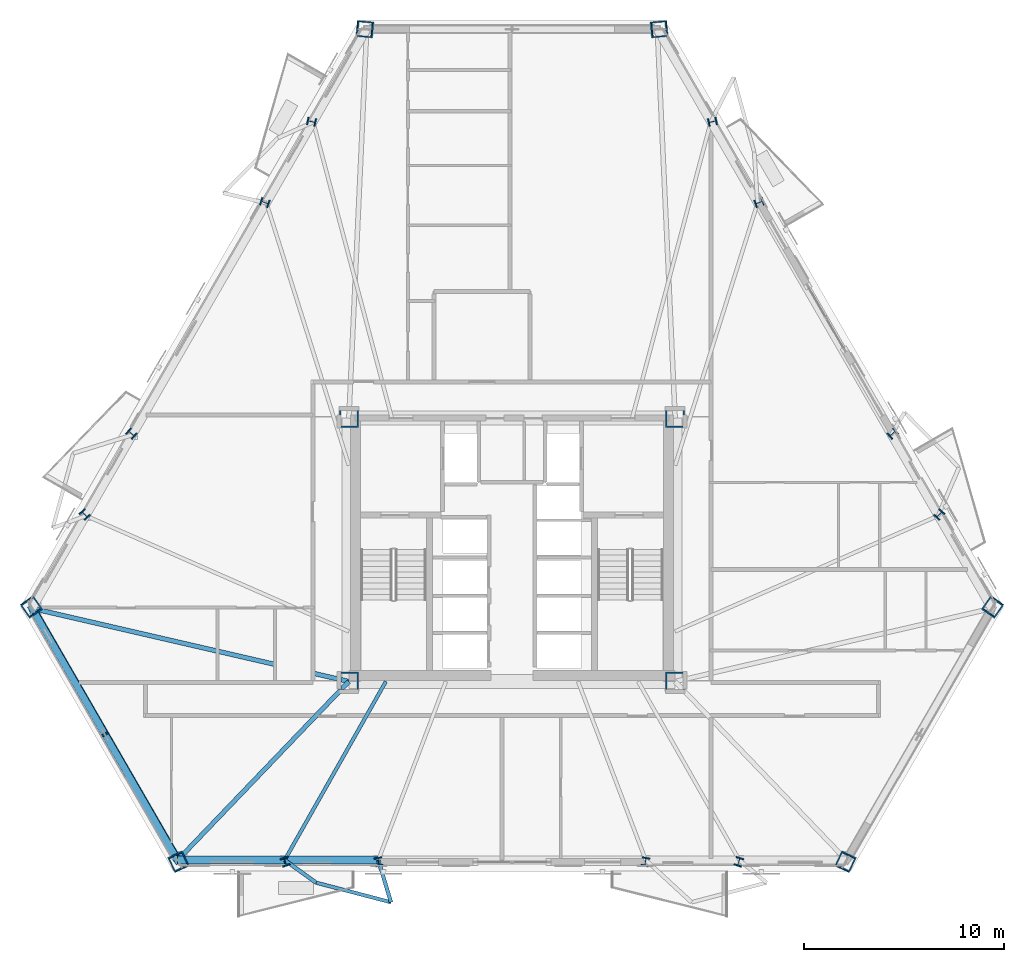
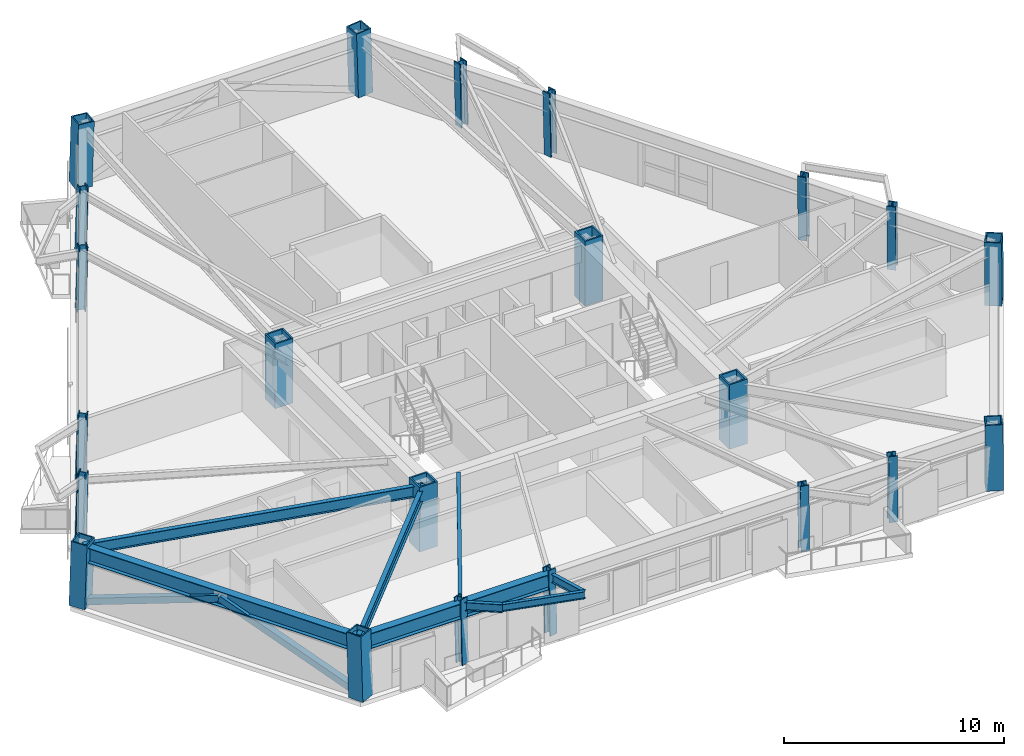
# One storey, part 1 of 15: 22 columns, 9 beams, 2 members.
"""IFC4 building model written with IfcOpenShell, lengths in metres."""

from ifc_helpers import new_model, si_unit, direction, frame, origin, origin_2d, place, context, subcontext, project, spatial, hollow_rectangle, i_section, extrude, material, material_profile, profile_set, type_object, element, save


model = new_model("IFC4")

# Units and contexts
model_context = context("Model", 3, precision=1e-05, world=origin(), true_north=direction((0.0, 1.0)))
body_context = subcontext(model_context, "Body", "Model", "MODEL_VIEW")
ifc_project = project(units=[si_unit("LENGTHUNIT", "METRE"), si_unit("AREAUNIT", "SQUARE_METRE"), si_unit("VOLUMEUNIT", "CUBIC_METRE"), si_unit("PLANEANGLEUNIT", "RADIAN"), si_unit("MASSUNIT", "GRAM", prefix="KILO")], contexts=[model_context])

# Site, building, storey
site_placement = place(None, origin())
site = spatial("IfcSite", under=ifc_project, at=site_placement, CompositionType="ELEMENT")
building_placement = place(site_placement, origin())
building = spatial("IfcBuilding", under=site, at=building_placement, Name="Oramaril Tower", CompositionType="ELEMENT")
storey_placement = place(building_placement, frame((0.0, 0.0, 48.89990234375)))
storey = spatial("IfcBuildingStorey", under=building, at=storey_placement, Name="L12", CompositionType="ELEMENT", Elevation=48.89990234375)

# Columns
ifc_material_1 = material(Name="Steel ASTM A572 Gr 50", Category="steel")
ifc_material_profile_1 = material_profile(ifc_material_1, hollow_rectangle(XDim=0.949951171875, YDim=0.949951171875, WallThickness=0.080078125, at=origin_2d()), Name="BOX950X950X80")
ifc_profile_set_1 = profile_set([ifc_material_profile_1], Name="Steel ASTM A572 Gr 50")
column_type_1 = type_object("IfcColumnType", Name="CT-CC2", PredefinedType="COLUMN", material=ifc_profile_set_1)
for number, where, z_axis, x_axis, name in (
    (1, (29.35009765625, 11.0, 0.0), (0.0, 0.0, 1.0), (1.0, 0.0, 0.0), "L12 Core Column CC-1"),
    (2, (45.64990234375, 11.0, 0.0), (0.0, 0.0, 1.0), (1.0, 0.0, 0.0), "L12 Core Column CC-2"),
    (3, (45.64990234375, 24.14990234375, 0.0), (0.0, 0.0, 1.0), (1.0, 0.0, 0.0), "L12 Core Column CC-3"),
    (4, (29.35009765625, 24.14990234375, 0.0), (0.0, 0.0, 1.0), (1.0, 0.0, 0.0), "L12 Core Column CC-4"),
):
    element("IfcColumn", number, at=place(storey_placement, frame(where, z_axis=z_axis, x_axis=x_axis)), inside=storey, type_object=column_type_1, Name=name, PredefinedType="COLUMN", context=body_context, shape_type="SweptSolid", body=[
        extrude(hollow_rectangle(XDim=0.949951171875, YDim=0.949951171875, WallThickness=0.080078125, at=origin_2d()), origin(), (0.0, 0.0, 1.0), 3.60009765625),
    ])
ifc_material_2 = material(Name="Steel ASTM A572 Gr 50", Category="steel")
ifc_material_profile_2 = material_profile(ifc_material_2, hollow_rectangle(XDim=0.800048828125, YDim=0.800048828125, WallThickness=0.06494140625, at=origin_2d()), Name="BOX800X800X65")
ifc_profile_set_2 = profile_set([ifc_material_profile_2], Name="Steel ASTM A572 Gr 50")
column_type_2 = type_object("IfcColumnType", Name="CT-TC3", PredefinedType="COLUMN", material=ifc_profile_set_2)
for number, where, z_axis, x_axis, name in (
    (5, (13.47900390625, 14.73779296875, 0.004638671875), (0.01746413659, -0.025074966543, 0.999533015956), (0.820587791901, 0.57152049463, 0.0), "L12 Tube Column TC-01"),
    (6, (20.845703125, 1.978271484375, 0.004638671875), (-0.012979185622, 0.027657217529, 0.999533200579), (-0.905271861063, -0.424832740696, 0.0), "L12 Tube Column TC-02"),
    (7, (54.154296875, 1.978271484375, 0.004638671875), (0.012979185622, 0.027657217529, 0.999533200579), (-0.905271861063, 0.424832740696, 0.0), "L12 Tube Column TC-03"),
    (8, (61.52099609375, 14.73779296875, 0.004638671875), (-0.01746413659, -0.025074966543, 0.999533015956), (0.820587791901, -0.57152049463, 0.0), "L12 Tube Column TC-04"),
    (9, (44.86669921875, 43.583984375, 0.004638671875), (-0.03044331876, -0.002650199624, 0.999532981339), (0.086725574409, -0.996232239362, 0.0), "L12 Tube Column TC-05"),
    (10, (30.13330078125, 43.583984375, 0.004638671875), (0.03044331876, -0.002650199624, 0.999532981339), (0.086725574409, 0.996232239362, 0.0), "L12 Tube Column TC-06"),
):
    element("IfcColumn", number, at=place(storey_placement, frame(where, z_axis=z_axis, x_axis=x_axis)), inside=storey, type_object=column_type_2, Name=name, PredefinedType="COLUMN", context=body_context, shape_type="SweptSolid", body=[
        extrude(hollow_rectangle(XDim=0.800048828125, YDim=0.800048828125, WallThickness=0.06494140625, at=origin_2d()), origin(), (0.0, 0.0, 1.0), 3.5927734375),
    ])
ifc_material_3 = material(Name="Steel ASTM A572 Gr 50", Category="steel")
ifc_material_profile_3 = material_profile(ifc_material_3, i_section(OverallWidth=0.410888671875, OverallDepth=0.43408203125, WebThickness=0.035888671875, FlangeThickness=0.057373046875, at=origin_2d()), Name="W14X311")
ifc_profile_set_3 = profile_set([ifc_material_profile_3], Name="Steel ASTM A572 Gr 50")
column_type_3 = type_object("IfcColumnType", Name="CT-TF2", PredefinedType="COLUMN", material=ifc_profile_set_3)
for number, where, z_axis, x_axis, name in (
    (11, (26.175048828125, 1.978271484375, 0.004638671875), (-0.008834400096, 0.027658467992, 0.999578392385), (-0.952587065208, -0.304266138764, 0.0), "L12 Tube Column TC-07"),
    (12, (30.83837890625, 1.978271484375, 0.004638671875), (-0.005232815697, 0.027659168686, 0.999603715493), (-0.982570245697, -0.185891668105, 0.0), "L12 Tube Column TC-08"),
    (13, (44.16162109375, 1.978271484375, 0.004638671875), (0.005232815697, 0.027659168686, 0.999603715493), (-0.982570245697, 0.185891668105, 0.0), "L12 Tube Column TC-09"),
    (14, (48.824951171875, 1.978271484375, 0.004638671875), (0.008834400096, 0.027658467992, 0.999578392385), (-0.952587065208, 0.304266138764, 0.0), "L12 Tube Column TC-10"),
    (15, (58.856201171875, 19.353271484375, 0.004638671875), (-0.019503623219, -0.021542329479, 0.999577679184), (0.741314132302, -0.671158220727, 0.0), "L12 Tube Column TC-11"),
    (16, (56.524658203125, 23.3916015625, 0.004638671875), (-0.021339018703, -0.018348837738, 0.999603904772), (0.651983742715, -0.758232945232, 0.0), "L12 Tube Column TC-12"),
    (17, (49.863037109375, 34.93017578125, 0.004638671875), (-0.026571809068, -0.009378285553, 0.999602914523), (0.332820117735, -0.942990333583, 0.0), "L12 Tube Column TC-13"),
    (18, (47.531494140625, 38.968505859375, 0.004638671875), (-0.028405964245, -0.006184073556, 0.999577339894), (0.212720778905, -0.977113028376, 0.0), "L12 Tube Column TC-14"),
    (19, (27.468505859375, 38.968505859375, 0.004638671875), (0.028405964245, -0.006184073556, 0.999577339894), (0.212720778905, 0.977113028376, 0.0), "L12 Tube Column TC-15"),
    (20, (25.136962890625, 34.93017578125, 0.004638671875), (0.026571809068, -0.009378285553, 0.999602914523), (0.332820117735, 0.942990333583, 0.0), "L12 Tube Column TC-16"),
    (21, (18.475341796875, 23.3916015625, 0.004638671875), (0.021339018703, -0.018348837738, 0.999603904772), (0.651983742715, 0.758232945232, 0.0), "L12 Tube Column TC-17"),
    (22, (16.143798828125, 19.353271484375, 0.004638671875), (0.019503623219, -0.021542329479, 0.999577679184), (0.741314132302, 0.671158220727, 0.0), "L12 Tube Column TC-18"),
):
    element("IfcColumn", number, at=place(storey_placement, frame(where, z_axis=z_axis, x_axis=x_axis)), inside=storey, type_object=column_type_3, Name=name, PredefinedType="COLUMN", context=body_context, shape_type="SweptSolid", body=[
        extrude(i_section(OverallWidth=0.410888671875, OverallDepth=0.43408203125, WebThickness=0.035888671875, FlangeThickness=0.057373046875, at=origin_2d()), origin(), (0.0, 0.0, 1.0), 3.592529296875),
    ])

# Beams
ifc_material_4 = material(Name="Steel ASTM A572 Gr 50", Category="steel")
ifc_material_profile_4 = material_profile(ifc_material_4, i_section(OverallWidth=0.19091796875, OverallDepth=0.45703125, WebThickness=0.009033203125, FlangeThickness=0.014404296875, at=origin_2d()), Name="W18X50")
ifc_profile_set_4 = profile_set([ifc_material_profile_4], Name="Steel ASTM A572 Gr 50")
beam_type_1 = type_object("IfcBeamType", Name="BT-BB1", PredefinedType="BEAM", material=ifc_profile_set_4)
beam_1_placement = place(storey_placement, frame((26.143310546875, 2.07763671875, 3.131591796875), z_axis=(0.811807544298, -0.583925090247, 0.0), x_axis=(0.583925090247, 0.811807544298, 0.0)))
element("IfcBeam", 23, at=beam_1_placement, inside=storey, type_object=beam_type_1, Name="L12 Balcony Column-Framed Cantilever 01.1", PredefinedType="BEAM", context=body_context, shape_type="SweptSolid", body=[
    extrude(i_section(OverallWidth=0.19091796875, OverallDepth=0.45703125, WebThickness=0.009033203125, FlangeThickness=0.014404296875, at=origin_2d()), origin(), (0.0, 0.0, 1.0), 1.931640625),
])
beam_2_placement = place(storey_placement, frame((30.819580078125, 2.07763671875, 3.131591796875), z_axis=(0.288853113023, -0.957373427194, 0.0), x_axis=(0.957373427194, 0.288853113023, 0.0)))
element("IfcBeam", 24, at=beam_2_placement, inside=storey, type_object=beam_type_1, Name="L12 Balcony Column-Framed Cantilever 01.2", PredefinedType="BEAM", context=body_context, shape_type="SweptSolid", body=[
    extrude(i_section(OverallWidth=0.19091796875, OverallDepth=0.45703125, WebThickness=0.009033203125, FlangeThickness=0.014404296875, at=origin_2d()), origin(), (0.0, 0.0, 1.0), 2.20166015625),
])
ifc_material_5 = material(Name="Steel ASTM A572 Gr 50", Category="steel")
ifc_material_profile_5 = material_profile(ifc_material_5, i_section(OverallWidth=0.22900390625, OverallDepth=0.612060546875, WebThickness=0.011962890625, FlangeThickness=0.01953125, at=origin_2d()), Name="W24X84")
ifc_profile_set_5 = profile_set([ifc_material_profile_5], Name="Steel ASTM A572 Gr 50")
beam_type_2 = type_object("IfcBeamType", Name="BT-FB1", PredefinedType="BEAM", material=ifc_profile_set_5)
beam_3_placement = place(storey_placement, frame((29.35009765625, 11.0, 3.05419921875), z_axis=(-0.974396267927, 0.224837525893, 0.0), x_axis=(-0.224837525893, -0.974396267927, 0.0)))
element("IfcBeam", 25, at=beam_3_placement, inside=storey, type_object=beam_type_2, Name="L12 Radial Primary Beam RB-01", PredefinedType="BEAM", context=body_context, shape_type="SweptSolid", body=[
    extrude(i_section(OverallWidth=0.22900390625, OverallDepth=0.612060546875, WebThickness=0.011962890625, FlangeThickness=0.01953125, at=origin_2d()), origin(), (0.0, 0.0, 1.0), 16.2236328125),
])
beam_4_placement = place(storey_placement, frame((29.35009765625, 11.0, 3.05419921875), z_axis=(-0.691923383988, -0.721970934796, 0.0), x_axis=(0.721970934796, -0.691923383988, 0.0)))
element("IfcBeam", 26, at=beam_4_placement, inside=storey, type_object=beam_type_2, Name="L12 Radial Primary Beam RB-02", PredefinedType="BEAM", context=body_context, shape_type="SweptSolid", body=[
    extrude(i_section(OverallWidth=0.22900390625, OverallDepth=0.612060546875, WebThickness=0.011962890625, FlangeThickness=0.01953125, at=origin_2d()), origin(), (0.0, 0.0, 1.0), 12.3583984375),
])
ifc_material_6 = material(Name="Steel ASTM A572 Gr 50", Category="steel")
ifc_material_profile_6 = material_profile(ifc_material_6, i_section(OverallWidth=0.177978515625, OverallDepth=0.404052734375, WebThickness=0.007568359375, FlangeThickness=0.010986328125, at=origin_2d()), Name="W16X36")
ifc_profile_set_6 = profile_set([ifc_material_profile_6], Name="Steel ASTM A572 Gr 50")
beam_type_3 = type_object("IfcBeamType", Name="BT-SB1", PredefinedType="BEAM", material=ifc_profile_set_6)
beam_5_placement = place(storey_placement, frame((31.199951171875, 11.0, 3.158203125), z_axis=(-0.493059421442, -0.869995636154, 0.0), x_axis=(0.869995636154, -0.493059421442, 0.0)))
element("IfcBeam", 27, at=beam_5_placement, inside=storey, type_object=beam_type_3, Name="L12 Secondary Floor Beam SB-01", PredefinedType="BEAM", context=body_context, shape_type="SweptSolid", body=[
    extrude(i_section(OverallWidth=0.177978515625, OverallDepth=0.404052734375, WebThickness=0.007568359375, FlangeThickness=0.010986328125, at=origin_2d()), origin(), (0.0, 0.0, 1.0), 10.255615234375),
])
beam_6_placement = place(storey_placement, frame((27.71142578125, 0.94970703125, 3.158203125), z_axis=(0.967411967632, -0.253207592467, 0.0), x_axis=(0.253207592467, 0.967411967632, 0.0)))
element("IfcBeam", 28, at=beam_6_placement, inside=storey, type_object=beam_type_3, Name="L12 Balcony Edge Tie Beam 01", PredefinedType="BEAM", context=body_context, shape_type="SweptSolid", body=[
    extrude(i_section(OverallWidth=0.177978515625, OverallDepth=0.404052734375, WebThickness=0.007568359375, FlangeThickness=0.010986328125, at=origin_2d()), origin(), (0.0, 0.0, 1.0), 3.870361328125),
])
ifc_material_7 = material(Name="Steel ASTM A572 Gr 50", Category="steel")
ifc_material_profile_7 = material_profile(ifc_material_7, i_section(OverallWidth=0.40087890625, OverallDepth=0.85595703125, WebThickness=0.018310546875, FlangeThickness=0.029296875, at=origin_2d()), Name="W33X201")
ifc_profile_set_7 = profile_set([ifc_material_profile_7], Name="Steel ASTM A572 Gr 50")
beam_type_4 = type_object("IfcBeamType", Name="BT-SP1", PredefinedType="SPANDREL", material=ifc_profile_set_7)
beam_7_placement = place(storey_placement, frame((13.541748046875, 14.647705078125, 2.93212890625), z_axis=(0.49999957979, -0.866025646392, 0.0), x_axis=(0.866025646392, 0.49999957979, 0.0)))
element("IfcBeam", 29, at=beam_7_placement, inside=storey, type_object=beam_type_4, Name="L12 Perimeter Spandrel 01", PredefinedType="SPANDREL", context=body_context, shape_type="SweptSolid", body=[
    extrude(i_section(OverallWidth=0.40087890625, OverallDepth=0.85595703125, WebThickness=0.018310546875, FlangeThickness=0.029296875, at=origin_2d()), origin(), (0.0, 0.0, 1.0), 14.5146484375),
])
beam_8_placement = place(storey_placement, frame((20.799072265625, 2.07763671875, 2.93212890625), z_axis=(1.0, 0.0, 0.0), x_axis=(0.0, 1.0, 0.0)))
element("IfcBeam", 30, at=beam_8_placement, inside=storey, type_object=beam_type_4, Name="L12 Perimeter Spandrel 02", PredefinedType="SPANDREL", context=body_context, shape_type="SweptSolid", body=[
    extrude(i_section(OverallWidth=0.40087890625, OverallDepth=0.85595703125, WebThickness=0.018310546875, FlangeThickness=0.029296875, at=origin_2d()), origin(), (0.0, 0.0, 1.0), 5.34423828125),
])
beam_9_placement = place(storey_placement, frame((26.143310546875, 2.07763671875, 2.93212890625), z_axis=(1.0, 0.0, 0.0), x_axis=(0.0, 1.0, 0.0)))
element("IfcBeam", 31, at=beam_9_placement, inside=storey, type_object=beam_type_4, Name="L12 Perimeter Spandrel 03", PredefinedType="SPANDREL", context=body_context, shape_type="SweptSolid", body=[
    extrude(i_section(OverallWidth=0.40087890625, OverallDepth=0.85595703125, WebThickness=0.018310546875, FlangeThickness=0.029296875, at=origin_2d()), origin(), (0.0, 0.0, 1.0), 4.67626953125),
])

# Members
ifc_material_8 = material(Name="Steel ASTM A572 Gr 50", Category="steel")
ifc_material_profile_8 = material_profile(ifc_material_8, hollow_rectangle(XDim=0.35009765625, YDim=0.35009765625, WallThickness=0.01611328125, at=origin_2d()), Name="HSS350X350X16")
ifc_profile_set_8 = profile_set([ifc_material_profile_8], Name="Steel ASTM A572 Gr 50")
member_type = type_object("IfcMemberType", Name="MT-KB1", PredefinedType="BRACE", material=ifc_profile_set_8)
member_1_placement = place(storey_placement, frame((13.47900390625, 14.73779296875, 0.18017578125), z_axis=(0.468390255162, -0.811261732461, 0.349949954013), x_axis=(0.866021670914, 0.500006465466, 0.0)))
element("IfcMember", 32, at=member_1_placement, inside=storey, type_object=member_type, Name="L12 Perimeter Chevron Brace KB-1A", PredefinedType="BRACE", context=body_context, shape_type="SweptSolid", body=[
    extrude(hollow_rectangle(XDim=0.35009765625, YDim=0.35009765625, WallThickness=0.01611328125, at=origin_2d()), origin(), (0.0, 0.0, 1.0), 7.86376953125),
])
member_2_placement = place(storey_placement, frame((20.845703125, 1.978271484375, 0.18017578125), z_axis=(-0.468378458322, 0.811272345255, 0.3499411402), x_axis=(-0.866029956157, -0.499992114976, 0.0)))
element("IfcMember", 33, at=member_2_placement, inside=storey, type_object=member_type, Name="L12 Perimeter Chevron Brace KB-1B", PredefinedType="BRACE", context=body_context, shape_type="SweptSolid", body=[
    extrude(hollow_rectangle(XDim=0.35009765625, YDim=0.35009765625, WallThickness=0.01611328125, at=origin_2d()), origin(), (0.0, 0.0, 1.0), 7.864013671875),
])

save(model, "model.ifc")
